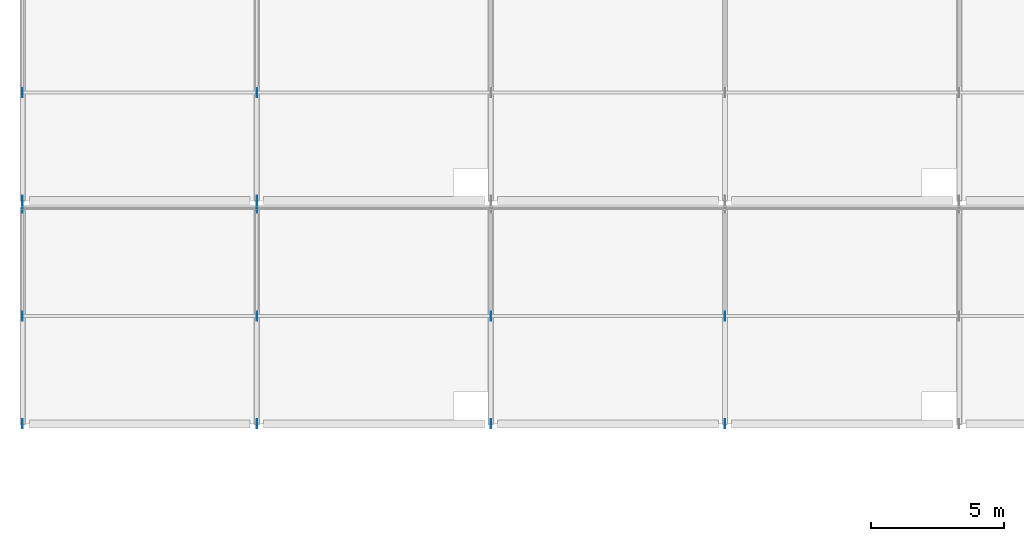
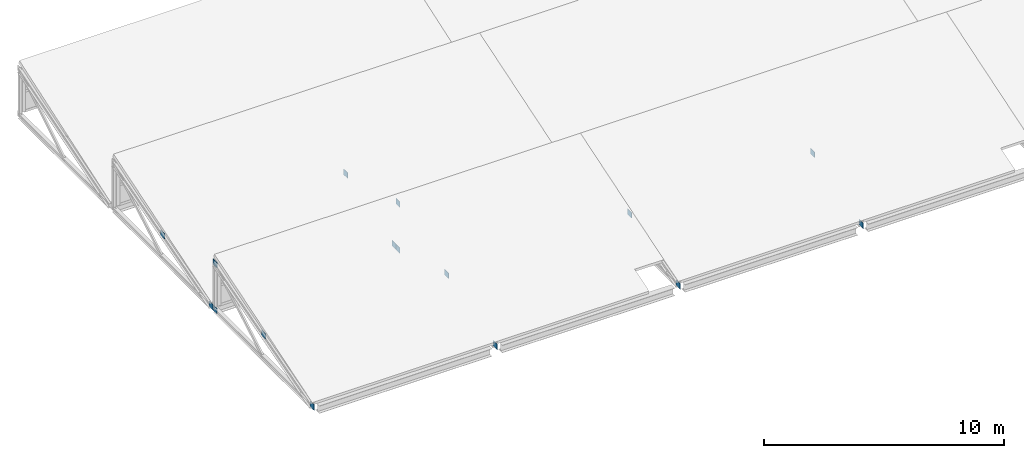
# One storey, part 30 of 40: 16 plates.
"""IFC4 building model written with IfcOpenShell, lengths in metres."""

from ifc_helpers import new_model, si_unit, direction, frame, origin, origin_2d, place, context, subcontext, project, spatial, rectangle, extrude, material, layer, layer_set, type_object, element, save


model = new_model("IFC4")

# Units and contexts
model_context = context("Model", 3, precision=1e-05, world=origin(), true_north=direction((0.0, 1.0)))
body_context = subcontext(model_context, "Body", "Model", "MODEL_VIEW")
ifc_project = project(units=[si_unit("LENGTHUNIT", "METRE"), si_unit("AREAUNIT", "SQUARE_METRE"), si_unit("VOLUMEUNIT", "CUBIC_METRE"), si_unit("PLANEANGLEUNIT", "RADIAN"), si_unit("MASSUNIT", "GRAM", prefix="KILO")], contexts=[model_context])

# Site, building, storey
site_placement = place(None, origin())
site = spatial("IfcSite", under=ifc_project, at=site_placement, CompositionType="ELEMENT")
building_placement = place(site_placement, origin())
building = spatial("IfcBuilding", under=site, at=building_placement, Name="Brinegate Botanical Conservatory", CompositionType="ELEMENT")
storey_placement = place(building_placement, frame((0.0, 0.0, 19.199951171875)))
storey = spatial("IfcBuildingStorey", under=building, at=storey_placement, Name="L05", CompositionType="ELEMENT", Elevation=19.199951171875)

# Plates
ifc_material = material(Name="Welded node steel Q355GJ / S355", Category="steel")
ifc_layer = layer(ifc_material, 0.01806640625, Name="Welded node steel Q355GJ / S355", Category="steel")
ifc_layer_set = layer_set([ifc_layer], Name="Welded node steel Q355GJ / S355")
plate_type = type_object("IfcPlateType", Name="Plate_GS-02", PredefinedType="USERDEFINED", material=ifc_layer_set)
for number, where, z_axis, x_axis, name in (
    (1, (50.800048828125, 86.800048828125, -0.1201171875), (0.0, 0.0, 1.0), (1.0, 0.0, 0.0), "Sawtooth truss gusset node GS-02 B1.T1.S"),
    (2, (50.800048828125, 94.89990234375, -0.1201171875), (0.0, 0.0, 1.0), (1.0, 0.0, 0.0), "Sawtooth truss gusset node GS-02 B1.T1.NB"),
    (3, (50.800048828125, 94.89990234375, 2.2099609375), (0.0, 0.0, 1.0), (1.0, 0.0, 0.0), "Sawtooth truss gusset node GS-02 B1.T1.NT"),
    (4, (50.800048828125, 90.85009765625, 1.044921875), (0.0, 0.0, 1.0), (1.0, 0.0, 0.0), "Sawtooth truss gusset node GS-02 B1.T1.M"),
    (5, (59.60009765625, 86.800048828125, -0.1201171875), (0.0, 0.0, 1.0), (1.0, 0.0, 0.0), "Sawtooth truss gusset node GS-02 B1.T2.S"),
    (6, (59.60009765625, 94.89990234375, -0.1201171875), (0.0, 0.0, 1.0), (1.0, 0.0, 0.0), "Sawtooth truss gusset node GS-02 B1.T2.NB"),
    (7, (59.60009765625, 94.89990234375, 2.2099609375), (0.0, 0.0, 1.0), (1.0, 0.0, 0.0), "Sawtooth truss gusset node GS-02 B1.T2.NT"),
    (8, (59.60009765625, 90.85009765625, 1.044921875), (0.0, 0.0, 1.0), (1.0, 0.0, 0.0), "Sawtooth truss gusset node GS-02 B1.T2.M"),
    (9, (68.39990234375, 86.800048828125, -0.1201171875), (0.0, 0.0, 1.0), (1.0, 0.0, 0.0), "Sawtooth truss gusset node GS-02 B1.T3.S"),
    (10, (68.39990234375, 90.85009765625, 1.044921875), (0.0, 0.0, 1.0), (1.0, 0.0, 0.0), "Sawtooth truss gusset node GS-02 B1.T3.M"),
    (11, (77.199951171875, 86.800048828125, -0.1201171875), (0.0, 0.0, 1.0), (1.0, 0.0, 0.0), "Sawtooth truss gusset node GS-02 B1.T4.S"),
    (12, (77.199951171875, 90.85009765625, 1.044921875), (0.0, 0.0, 1.0), (1.0, 0.0, 0.0), "Sawtooth truss gusset node GS-02 B1.T4.M"),
    (13, (50.800048828125, 95.199951171875, -0.1201171875), (0.0, 0.0, 1.0), (1.0, 0.0, 0.0), "Sawtooth truss gusset node GS-02 B2.T1.S"),
    (14, (50.800048828125, 99.25, 1.044921875), (0.0, 0.0, 1.0), (1.0, 0.0, 0.0), "Sawtooth truss gusset node GS-02 B2.T1.M"),
    (15, (59.60009765625, 95.199951171875, -0.1201171875), (0.0, 0.0, 1.0), (1.0, 0.0, 0.0), "Sawtooth truss gusset node GS-02 B2.T2.S"),
    (16, (59.60009765625, 99.25, 1.044921875), (0.0, 0.0, 1.0), (1.0, 0.0, 0.0), "Sawtooth truss gusset node GS-02 B2.T2.M"),
):
    element("IfcPlate", number, at=place(storey_placement, frame(where, z_axis=z_axis, x_axis=x_axis)), inside=storey, type_object=plate_type, Name=name, ObjectType="GUSSET PLATE", PredefinedType="USERDEFINED", context=body_context, shape_type="SweptSolid", body=[
        extrude(rectangle(XDim=0.01806640625, YDim=0.340087890625, at=origin_2d()), origin(), (0.0, 0.0, 1.0), 0.280029296875),
    ])

save(model, "model.ifc")
